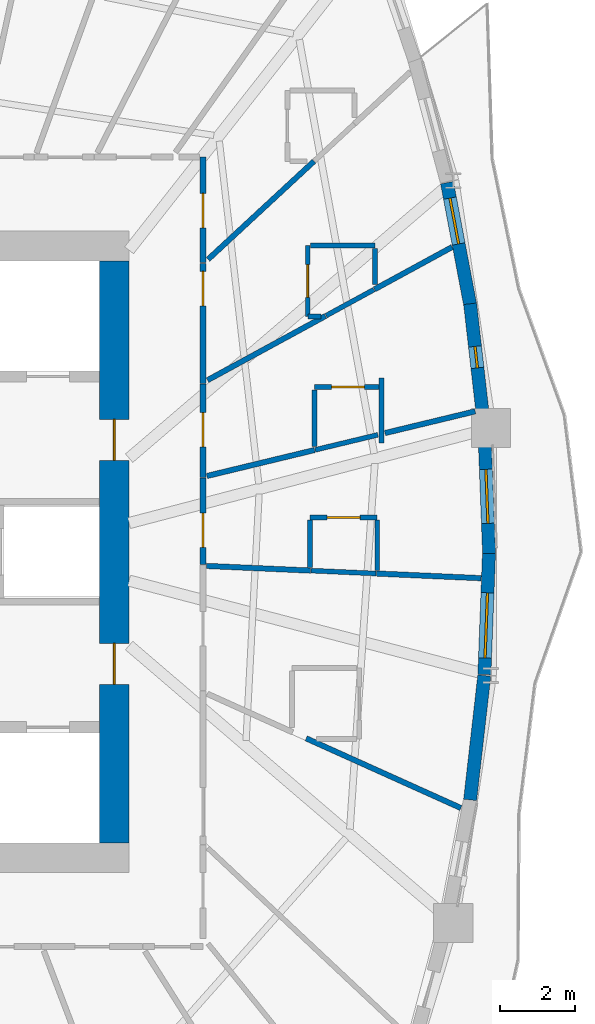
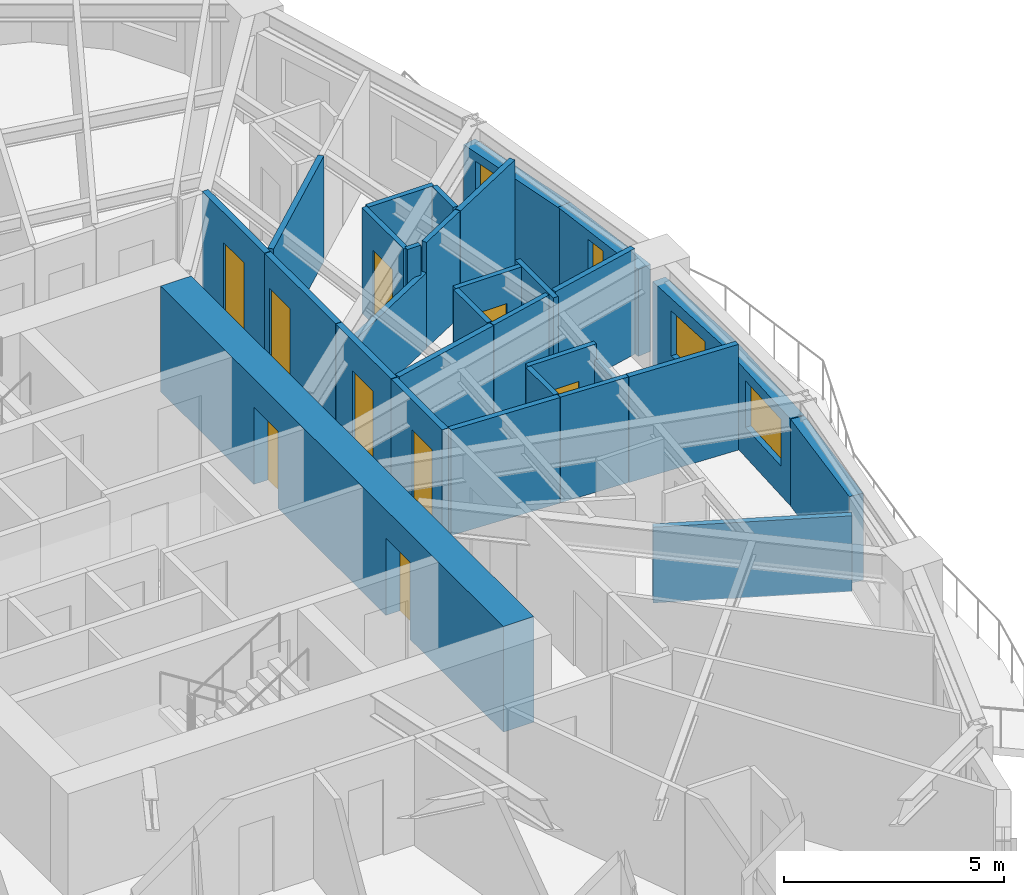
# One storey, part 7 of 14: 31 walls, 9 doors, 4 windows, 13 openings.
"""IFC4 building model written with IfcOpenShell, lengths in metres."""

from ifc_helpers import new_model, si_unit, direction, frame, frame_2d, origin, place, context, subcontext, project, spatial, rectangle, extrude, source, transform, mapped, material, layer, layer_set, type_object, element, fill, save


model = new_model("IFC4")

# Units and contexts
model_context = context("Model", 3, precision=1e-05, world=origin(), true_north=direction((0.0, 1.0)))
body_context = subcontext(model_context, "Body", "Model", "MODEL_VIEW")
ifc_project = project(units=[si_unit("LENGTHUNIT", "METRE"), si_unit("AREAUNIT", "SQUARE_METRE"), si_unit("VOLUMEUNIT", "CUBIC_METRE"), si_unit("PLANEANGLEUNIT", "RADIAN"), si_unit("MASSUNIT", "GRAM", prefix="KILO")], contexts=[model_context])

# Site, building, storey
site_placement = place(None, origin())
site = spatial("IfcSite", under=ifc_project, at=site_placement, CompositionType="ELEMENT")
building_placement = place(site_placement, origin())
building = spatial("IfcBuilding", under=site, at=building_placement, Name="Qafzar Sky-Pleat Residences", CompositionType="ELEMENT")
storey_placement = place(building_placement, frame((0.0, 0.0, 23.800048828125)))
storey = spatial("IfcBuildingStorey", under=building, at=storey_placement, Name="L06", CompositionType="ELEMENT", Elevation=23.800048828125)

# Wall, opening, door
ifc_material_1 = material(Name="Acoustic gypsum plasterboard partition", Category="gypsum")
ifc_layer_1 = layer(ifc_material_1, 0.159912109375)
ifc_layer_set_1 = layer_set([ifc_layer_1], Name="Acoustic gypsum plasterboard partition")
wall_type_1 = type_object("IfcWallType", Name="PART-COR-160", PredefinedType="PARTITIONING", material=ifc_layer_set_1)
wall_1_placement = place(storey_placement, frame((38.679931640625, 33.735107421875, 0.0), z_axis=(0.0, 0.0, 1.0), x_axis=(0.0, -1.0, 0.0)))
wall_1 = element("IfcWall", 1, at=wall_1_placement, inside=storey, type_object=wall_type_1, Name="L06 Partition Wall PART-L06-PW-007", PredefinedType="PARTITIONING", context=body_context, shape_type="SweptSolid", body=[
    extrude(rectangle(XDim=3.217041015625, YDim=0.159912109375, at=frame_2d((1.6083984375, 0.0))), origin(), (0.0, 0.0, 1.0), 2.93505859375),
])
opening_1_placement = place(wall_1_placement, frame((0.219970703125, 0.0, 0.0)))
opening_1 = element("IfcOpeningElement", 2, at=opening_1_placement, cuts=wall_1, Name="Opening ID-04", PredefinedType="OPENING", context=body_context, shape_type="SweptSolid", body=[
    extrude(rectangle(XDim=0.919921875, YDim=2.10009765625, at=frame_2d((0.4599609375, 1.050048828125))), frame((0.0, 0.08984375, 0.0), z_axis=(0.0, -1.0, 0.0), x_axis=(1.0, 0.0, 0.0)), (0.0, 0.0, 1.0), 0.179931640625),
])
ifc_material_2 = material(Name="Timber-faced fire door", Category="wood")
door_type_1 = type_object("IfcDoorType", Name="DR-BED-920", OperationType="NOTDEFINED", PredefinedType="DOOR", material=ifc_material_2)
shared_shape_1 = source(origin(), body_context, "Body", "SweptSolid", [
    extrude(rectangle(XDim=0.919921875, YDim=2.10009765625, at=frame_2d((0.4599609375, 1.050048828125))), frame((0.0, 0.02490234375, 0.0), z_axis=(0.0, -1.0, 0.0), x_axis=(1.0, 0.0, 0.0)), (0.0, 0.0, 1.0), 0.050048828125),
])
door_1_placement = place(opening_1_placement, origin())
door_1 = element("IfcDoor", 3, at=door_1_placement, inside=storey, type_object=door_type_1, Name="L06 Co-Living Bedroom 14 Door", OperationType="SINGLE_SWING_RIGHT", OverallHeight=2.10009765625, OverallWidth=0.919921875, PredefinedType="DOOR", context=body_context, shape_type="MappedRepresentation", body=[
    mapped(shared_shape_1, transform((0.0, 0.0, 0.0), x_axis=(1.0, 0.0, 0.0), y_axis=(0.0, 1.0, 0.0), z_axis=(0.0, 0.0, 1.0), scale=1.0)),
])
fill(opening_1, door_1)

wall_2_placement = place(storey_placement, frame((38.679931640625, 36.580078125, 0.0), z_axis=(0.0, 0.0, 1.0), x_axis=(0.0, -1.0, 0.0)))
wall_2 = element("IfcWall", 4, at=wall_2_placement, inside=storey, type_object=wall_type_1, Name="L06 Partition Wall PART-L06-PW-009", PredefinedType="PARTITIONING", context=body_context, shape_type="SweptSolid", body=[
    extrude(rectangle(XDim=2.830078125, YDim=0.159912109375, at=frame_2d((1.4150390625, 0.0))), origin(), (0.0, 0.0, 1.0), 2.93505859375),
])
opening_2_placement = place(wall_2_placement, frame((0.972900390625, 0.0, 0.0)))
opening_2 = element("IfcOpeningElement", 5, at=opening_2_placement, cuts=wall_2, Name="Opening ID-04", PredefinedType="OPENING", context=body_context, shape_type="SweptSolid", body=[
    extrude(rectangle(XDim=0.919921875, YDim=2.10009765625, at=frame_2d((0.4599609375, 1.050048828125))), frame((0.0, 0.08984375, 0.0), z_axis=(0.0, -1.0, 0.0), x_axis=(1.0, 0.0, 0.0)), (0.0, 0.0, 1.0), 0.179931640625),
])
door_2_placement = place(opening_2_placement, origin())
door_2 = element("IfcDoor", 6, at=door_2_placement, inside=storey, type_object=door_type_1, Name="L06 Co-Living Bedroom 13 Door", OperationType="SINGLE_SWING_RIGHT", OverallHeight=2.10009765625, OverallWidth=0.919921875, PredefinedType="DOOR", context=body_context, shape_type="MappedRepresentation", body=[
    mapped(shared_shape_1, transform((0.0, 0.0, 0.0), x_axis=(1.0, 0.0, 0.0), y_axis=(0.0, 1.0, 0.0), z_axis=(0.0, 0.0, 1.0), scale=1.0)),
])
fill(opening_2, door_2)

wall_3_placement = place(storey_placement, frame((38.679931640625, 30.5029296875, 0.0), z_axis=(0.0, 0.0, 1.0), x_axis=(0.0, -1.0, 0.0)))
wall_3 = element("IfcWall", 7, at=wall_3_placement, inside=storey, type_object=wall_type_1, Name="L06 Partition Wall PART-L06-PW-012", PredefinedType="PARTITIONING", context=body_context, shape_type="SweptSolid", body=[
    extrude(rectangle(XDim=2.510009765625, YDim=0.159912109375, at=frame_2d((1.2548828125, 0.0))), origin(), (0.0, 0.0, 1.0), 2.93505859375),
])
opening_3_placement = place(wall_3_placement, frame((0.771484375, 0.0, 0.0)))
opening_3 = element("IfcOpeningElement", 8, at=opening_3_placement, cuts=wall_3, Name="Opening ID-04", PredefinedType="OPENING", context=body_context, shape_type="SweptSolid", body=[
    extrude(rectangle(XDim=0.919921875, YDim=2.10009765625, at=frame_2d((0.4599609375, 1.050048828125))), frame((0.0, 0.08984375, 0.0), z_axis=(0.0, -1.0, 0.0), x_axis=(1.0, 0.0, 0.0)), (0.0, 0.0, 1.0), 0.179931640625),
])
door_3_placement = place(opening_3_placement, origin())
door_3 = element("IfcDoor", 9, at=door_3_placement, inside=storey, type_object=door_type_1, Name="L06 Co-Living Bedroom 11 Door", OperationType="SINGLE_SWING_LEFT", OverallHeight=2.10009765625, OverallWidth=0.919921875, PredefinedType="DOOR", context=body_context, shape_type="MappedRepresentation", body=[
    mapped(shared_shape_1, transform((0.0, 0.0, 0.0), x_axis=(1.0, 0.0, 0.0), y_axis=(0.0, 1.0, 0.0), z_axis=(0.0, 0.0, 1.0), scale=1.0)),
])
fill(opening_3, door_3)

wall_4_placement = place(storey_placement, frame((38.679931640625, 27.97802734375, 0.0), z_axis=(0.0, 0.0, 1.0), x_axis=(0.0, -1.0, 0.0)))
wall_4 = element("IfcWall", 10, at=wall_4_placement, inside=storey, type_object=wall_type_1, Name="L06 Partition Wall PART-L06-PW-015", PredefinedType="PARTITIONING", context=body_context, shape_type="SweptSolid", body=[
    extrude(rectangle(XDim=2.321044921875, YDim=0.159912109375, at=frame_2d((1.16064453125, 0.0))), origin(), (0.0, 0.0, 1.0), 2.93505859375),
])
opening_4_placement = place(wall_4_placement, frame((0.94091796875, 0.0, 0.0)))
opening_4 = element("IfcOpeningElement", 11, at=opening_4_placement, cuts=wall_4, Name="Opening ID-04", PredefinedType="OPENING", context=body_context, shape_type="SweptSolid", body=[
    extrude(rectangle(XDim=0.919921875, YDim=2.10009765625, at=frame_2d((0.4599609375, 1.050048828125))), frame((0.0, 0.08984375, 0.0), z_axis=(0.0, -1.0, 0.0), x_axis=(1.0, 0.0, 0.0)), (0.0, 0.0, 1.0), 0.179931640625),
])
door_4_placement = place(opening_4_placement, origin())
door_4 = element("IfcDoor", 12, at=door_4_placement, inside=storey, type_object=door_type_1, Name="L06 Co-Living Bedroom 12 Door", OperationType="SINGLE_SWING_RIGHT", OverallHeight=2.10009765625, OverallWidth=0.919921875, PredefinedType="DOOR", context=body_context, shape_type="MappedRepresentation", body=[
    mapped(shared_shape_1, transform((0.0, 0.0, 0.0), x_axis=(1.0, 0.0, 0.0), y_axis=(0.0, 1.0, 0.0), z_axis=(0.0, 0.0, 1.0), scale=1.0)),
])
fill(opening_4, door_4)

# Walls
ifc_layer_2 = layer(ifc_material_1, 0.14501953125)
ifc_layer_set_2 = layer_set([ifc_layer_2], Name="Acoustic gypsum plasterboard partition")
wall_type_2 = type_object("IfcWallType", Name="PART-UNIT-145", PredefinedType="PARTITIONING", material=ifc_layer_set_2)
wall_5_placement = place(storey_placement, frame((41.447998046875, 21.0009765625, 0.0), z_axis=(0.0, 0.0, 1.0), x_axis=(0.911733501253, -0.410782208346, 0.0)))
element("IfcWall", 13, at=wall_5_placement, inside=storey, type_object=wall_type_2, Name="L06 Partition Wall PART-L06-PW-051", PredefinedType="PARTITIONING", context=body_context, shape_type="SweptSolid", body=[
    extrude(rectangle(XDim=4.546142578125, YDim=0.14501953125, at=frame_2d((2.27294921875, 0.0))), origin(), (0.0, 0.0, 1.0), 2.10302734375),
])
wall_6_placement = place(storey_placement, frame((38.815185546875, 33.839111328125, 0.0), z_axis=(0.0, 0.0, 1.0), x_axis=(0.733718730688, 0.67945332749, 0.0)))
element("IfcWall", 14, at=wall_6_placement, inside=storey, type_object=wall_type_2, Name="L06 Partition Wall PART-L06-PW-054", PredefinedType="PARTITIONING", context=body_context, shape_type="SweptSolid", body=[
    extrude(rectangle(XDim=3.869140625, YDim=0.14501953125, at=frame_2d((1.9345703125, 0.0))), origin(), (0.0, 0.0, 1.0), 2.93505859375),
])
wall_7_placement = place(storey_placement, frame((38.8017578125, 30.601318359375, 0.0), z_axis=(0.0, 0.0, 1.0), x_axis=(0.878335610987, 0.478044510973, 0.0)))
element("IfcWall", 15, at=wall_7_placement, inside=storey, type_object=wall_type_2, Name="L06 Partition Wall PART-L06-PW-055", PredefinedType="PARTITIONING", context=body_context, shape_type="SweptSolid", body=[
    extrude(rectangle(XDim=3.6015625, YDim=0.14501953125, at=frame_2d((1.80078125, 0.0))), origin(), (0.0, 0.0, 1.0), 2.10302734375),
])
wall_8_placement = place(storey_placement, frame((38.784912109375, 28.033203125, 0.0), z_axis=(0.0, 0.0, 1.0), x_axis=(0.972108739033, 0.234530593943, 0.0)))
element("IfcWall", 16, at=wall_8_placement, inside=storey, type_object=wall_type_2, Name="L06 Partition Wall PART-L06-PW-059", PredefinedType="PARTITIONING", context=body_context, shape_type="SweptSolid", body=[
    extrude(rectangle(XDim=2.966796875, YDim=0.14501953125, at=frame_2d((1.4833984375, 0.0))), origin(), (0.0, 0.0, 1.0), 2.93505859375),
])
wall_9_placement = place(storey_placement, frame((38.771240234375, 25.622802734375, 0.0), z_axis=(0.0, 0.0, 1.0), x_axis=(0.999004404192, -0.044611662199, 0.0)))
element("IfcWall", 17, at=wall_9_placement, inside=storey, type_object=wall_type_2, Name="L06 Partition Wall PART-L06-PW-061", PredefinedType="PARTITIONING", context=body_context, shape_type="SweptSolid", body=[
    extrude(rectangle(XDim=2.79638671875, YDim=0.14501953125, at=frame_2d((1.398193359375, 0.0))), origin(), (0.0, 0.0, 1.0), 2.93505859375),
])
wall_10_placement = place(storey_placement, frame((43.3349609375, 25.4189453125, 0.0), z_axis=(0.0, 0.0, 1.0), x_axis=(0.999002708223, -0.04464962444, 0.0)))
element("IfcWall", 18, at=wall_10_placement, inside=storey, type_object=wall_type_2, Name="L06 Partition Wall PART-L06-PW-062", PredefinedType="PARTITIONING", context=body_context, shape_type="SweptSolid", body=[
    extrude(rectangle(XDim=2.804931640625, YDim=0.14501953125, at=frame_2d((1.40234375, 0.0))), origin(), (0.0, 0.0, 1.0), 2.93505859375),
])
wall_11_placement = place(storey_placement, frame((43.558837890625, 29.18359375, 0.0), z_axis=(0.0, 0.0, 1.0), x_axis=(0.972124665715, 0.23446456941, 0.0)))
element("IfcWall", 19, at=wall_11_placement, inside=storey, type_object=wall_type_2, Name="L06 Partition Wall PART-L06-PW-064", PredefinedType="PARTITIONING", context=body_context, shape_type="SweptSolid", body=[
    extrude(rectangle(XDim=2.486572265625, YDim=0.14501953125, at=frame_2d((1.2431640625, 0.0))), origin(), (0.0, 0.0, 1.0), 2.93505859375),
])
wall_12_placement = place(storey_placement, frame((43.27490234375, 33.035888671875, 0.0), z_axis=(0.0, 0.0, 1.0), x_axis=(0.878237509553, 0.478224713721, 0.0)))
element("IfcWall", 20, at=wall_12_placement, inside=storey, type_object=wall_type_2, Name="L06 Partition Wall PART-L06-PW-065", PredefinedType="PARTITIONING", context=body_context, shape_type="SweptSolid", body=[
    extrude(rectangle(XDim=2.372314453125, YDim=0.14501953125, at=frame_2d((1.18603515625, 0.0))), origin(), (0.0, 0.0, 1.0), 2.93505859375),
])

# Wall, opening, door
ifc_material_3 = material(Name="Moisture-resistant gypsum partition", Category="gypsum")
ifc_layer_3 = layer(ifc_material_3, 0.1298828125)
ifc_layer_set_3 = layer_set([ifc_layer_3], Name="Moisture-resistant gypsum partition")
wall_type_3 = type_object("IfcWallType", Name="PART-WET-130", PredefinedType="PARTITIONING", material=ifc_layer_set_3)
wall_13_placement = place(storey_placement, frame((41.489990234375, 34.2080078125, 0.0), z_axis=(0.0, 0.0, 1.0), x_axis=(0.0, -1.0, 0.0)))
wall_13 = element("IfcWall", 21, at=wall_13_placement, inside=storey, type_object=wall_type_3, Name="L06 Partition Wall PART-L06-PW-025", PredefinedType="PARTITIONING", context=body_context, shape_type="SweptSolid", body=[
    extrude(rectangle(XDim=1.89990234375, YDim=0.1298828125, at=frame_2d((0.949951171875, 0.0))), origin(), (0.0, 0.0, 1.0), 2.93505859375),
])
opening_5_placement = place(wall_13_placement, frame((0.510009765625, 0.0, 0.0)))
opening_5 = element("IfcOpeningElement", 22, at=opening_5_placement, cuts=wall_13, Name="Opening ID-07", PredefinedType="OPENING", context=body_context, shape_type="SweptSolid", body=[
    extrude(rectangle(XDim=0.8798828125, YDim=2.050048828125, at=frame_2d((0.43994140625, 1.02490234375))), frame((0.0, 0.074951171875, 0.0), z_axis=(0.0, -1.0, 0.0), x_axis=(1.0, 0.0, 0.0)), (0.0, 0.0, 1.0), 0.14990234375),
])
door_type_2 = type_object("IfcDoorType", Name="DR-WET-880", OperationType="NOTDEFINED", PredefinedType="DOOR", material=ifc_material_2)
shared_shape_2 = source(origin(), body_context, "Body", "SweptSolid", [
    extrude(rectangle(XDim=0.8798828125, YDim=2.050048828125, at=frame_2d((0.43994140625, 1.02490234375))), frame((0.0, 0.02490234375, 0.0), z_axis=(0.0, -1.0, 0.0), x_axis=(1.0, 0.0, 0.0)), (0.0, 0.0, 1.0), 0.050048828125),
])
door_5_placement = place(opening_5_placement, origin())
door_5 = element("IfcDoor", 23, at=door_5_placement, inside=storey, type_object=door_type_2, Name="L06 En-suite Bathroom 14 Door", OperationType="SINGLE_SWING_RIGHT", OverallHeight=2.050048828125, OverallWidth=0.8798828125, PredefinedType="DOOR", context=body_context, shape_type="MappedRepresentation", body=[
    mapped(shared_shape_2, transform((0.0, 0.0, 0.0), x_axis=(1.0, 0.0, 0.0), y_axis=(0.0, 1.0, 0.0), z_axis=(0.0, 0.0, 1.0), scale=1.0)),
])
fill(opening_5, door_5)

wall_14_placement = place(storey_placement, frame((43.39599609375, 30.41796875, 0.0), z_axis=(0.0, 0.0, 1.0), x_axis=(-1.0, 0.0, 0.0)))
wall_14 = element("IfcWall", 24, at=wall_14_placement, inside=storey, type_object=wall_type_3, Name="L06 Partition Wall PART-L06-PW-027", PredefinedType="PARTITIONING", context=body_context, shape_type="SweptSolid", body=[
    extrude(rectangle(XDim=1.72705078125, YDim=0.1298828125, at=frame_2d((0.863525390625, 0.0))), origin(), (0.0, 0.0, 1.0), 2.93505859375),
])
opening_6_placement = place(wall_14_placement, frame((0.386962890625, 0.0, 0.0)))
opening_6 = element("IfcOpeningElement", 25, at=opening_6_placement, cuts=wall_14, Name="Opening ID-07", PredefinedType="OPENING", context=body_context, shape_type="SweptSolid", body=[
    extrude(rectangle(XDim=0.8798828125, YDim=2.050048828125, at=frame_2d((0.43994140625, 1.02490234375))), frame((0.0, 0.074951171875, 0.0), z_axis=(0.0, -1.0, 0.0), x_axis=(1.0, 0.0, 0.0)), (0.0, 0.0, 1.0), 0.14990234375),
])
door_6_placement = place(opening_6_placement, origin())
door_6 = element("IfcDoor", 26, at=door_6_placement, inside=storey, type_object=door_type_2, Name="L06 En-suite Bathroom 11 Door", OperationType="SINGLE_SWING_RIGHT", OverallHeight=2.050048828125, OverallWidth=0.8798828125, PredefinedType="DOOR", context=body_context, shape_type="MappedRepresentation", body=[
    mapped(shared_shape_2, transform((0.0, 0.0, 0.0), x_axis=(1.0, 0.0, 0.0), y_axis=(0.0, 1.0, 0.0), z_axis=(0.0, 0.0, 1.0), scale=1.0)),
])
fill(opening_6, door_6)

wall_15_placement = place(storey_placement, frame((43.35009765625, 26.922119140625, 0.0), z_axis=(0.0, 0.0, 1.0), x_axis=(-1.0, 0.0, 0.0)))
wall_15 = element("IfcWall", 27, at=wall_15_placement, inside=storey, type_object=wall_type_3, Name="L06 Partition Wall PART-L06-PW-028", PredefinedType="PARTITIONING", context=body_context, shape_type="SweptSolid", body=[
    extrude(rectangle(XDim=1.800048828125, YDim=0.1298828125, at=frame_2d((0.89990234375, 0.0))), origin(), (0.0, 0.0, 1.0), 2.93505859375),
])
opening_7_placement = place(wall_15_placement, frame((0.4599609375, 0.0, 0.0)))
opening_7 = element("IfcOpeningElement", 28, at=opening_7_placement, cuts=wall_15, Name="Opening ID-07", PredefinedType="OPENING", context=body_context, shape_type="SweptSolid", body=[
    extrude(rectangle(XDim=0.8798828125, YDim=2.050048828125, at=frame_2d((0.43994140625, 1.02490234375))), frame((0.0, 0.074951171875, 0.0), z_axis=(0.0, -1.0, 0.0), x_axis=(1.0, 0.0, 0.0)), (0.0, 0.0, 1.0), 0.14990234375),
])
door_7_placement = place(opening_7_placement, origin())
door_7 = element("IfcDoor", 29, at=door_7_placement, inside=storey, type_object=door_type_2, Name="L06 En-suite Bathroom 12 Door", OperationType="SINGLE_SWING_LEFT", OverallHeight=2.050048828125, OverallWidth=0.8798828125, PredefinedType="DOOR", context=body_context, shape_type="MappedRepresentation", body=[
    mapped(shared_shape_2, transform((0.0, 0.0, 0.0), x_axis=(1.0, 0.0, 0.0), y_axis=(0.0, 1.0, 0.0), z_axis=(0.0, 0.0, 1.0), scale=1.0)),
])
fill(opening_7, door_7)

# Walls
wall_16_placement = place(storey_placement, frame((41.68359375, 28.732421875, 0.0), z_axis=(0.0, 0.0, 1.0), x_axis=(0.972269386076, 0.233863722924, 0.0)))
element("IfcWall", 30, at=wall_16_placement, inside=storey, type_object=wall_type_3, Name="L06 Partition Wall PART-L06-PW-071", PredefinedType="PARTITIONING", context=body_context, shape_type="SweptSolid", body=[
    extrude(rectangle(XDim=1.73095703125, YDim=0.1298828125, at=frame_2d((0.865478515625, 0.0))), origin(), (0.0, 0.0, 1.0), 2.93505859375),
])
wall_17_placement = place(storey_placement, frame((41.56298828125, 34.2080078125, 0.0), z_axis=(0.0, 0.0, 1.0), x_axis=(1.0, 0.0, 0.0)))
element("IfcWall", 31, at=wall_17_placement, inside=storey, type_object=wall_type_3, Name="L06 Partition Wall PART-L06-PW-078", PredefinedType="PARTITIONING", context=body_context, shape_type="SweptSolid", body=[
    extrude(rectangle(XDim=1.72705078125, YDim=0.1298828125, at=frame_2d((0.863525390625, 0.0))), origin(), (0.0, 0.0, 1.0), 2.93505859375),
])
wall_18_placement = place(storey_placement, frame((41.580078125, 25.4970703125, 0.0), z_axis=(0.0, 0.0, 1.0), x_axis=(0.998993531001, -0.04485448715, 0.0)))
element("IfcWall", 32, at=wall_18_placement, inside=storey, type_object=wall_type_3, Name="L06 Partition Wall PART-L06-PW-081", PredefinedType="PARTITIONING", context=body_context, shape_type="SweptSolid", body=[
    extrude(rectangle(XDim=1.74169921875, YDim=0.1298828125, at=frame_2d((0.870849609375, 0.0))), origin(), (0.0, 0.0, 1.0), 2.93505859375),
])
wall_19_placement = place(storey_placement, frame((41.6689453125, 28.827392578125, 0.0), z_axis=(0.0, 0.0, 1.0), x_axis=(0.0, 1.0, 0.0)))
element("IfcWall", 33, at=wall_19_placement, inside=storey, type_object=wall_type_3, Name="L06 Partition Wall PART-L06-PW-083", PredefinedType="PARTITIONING", context=body_context, shape_type="SweptSolid", body=[
    extrude(rectangle(XDim=1.517578125, YDim=0.1298828125, at=frame_2d((0.7587890625, 0.0))), origin(), (0.0, 0.0, 1.0), 2.93505859375),
])
wall_20_placement = place(storey_placement, frame((43.35009765625, 25.50146484375, 0.0), z_axis=(0.0, 0.0, 1.0), x_axis=(0.0, 1.0, 0.0)))
element("IfcWall", 34, at=wall_20_placement, inside=storey, type_object=wall_type_3, Name="L06 Partition Wall PART-L06-PW-086", PredefinedType="PARTITIONING", context=body_context, shape_type="SweptSolid", body=[
    extrude(rectangle(XDim=1.34765625, YDim=0.1298828125, at=frame_2d((0.673828125, 0.0))), origin(), (0.0, 0.0, 1.0), 2.5029296875),
])
wall_21_placement = place(storey_placement, frame((41.978271484375, 32.330078125, 0.0), z_axis=(0.0, 0.0, 1.0), x_axis=(0.878138043068, 0.478407334097, 0.0)))
element("IfcWall", 35, at=wall_21_placement, inside=storey, type_object=wall_type_3, Name="L06 Partition Wall PART-L06-PW-088", PredefinedType="PARTITIONING", context=body_context, shape_type="SweptSolid", body=[
    extrude(rectangle(XDim=1.461669921875, YDim=0.1298828125, at=frame_2d((0.73095703125, 0.0))), origin(), (0.0, 0.0, 1.0), 2.93505859375),
])
wall_22_placement = place(storey_placement, frame((41.550048828125, 25.58251953125, 0.0), z_axis=(0.0, 0.0, 1.0), x_axis=(0.0, 1.0, 0.0)))
element("IfcWall", 36, at=wall_22_placement, inside=storey, type_object=wall_type_3, Name="L06 Partition Wall PART-L06-PW-090", PredefinedType="PARTITIONING", context=body_context, shape_type="SweptSolid", body=[
    extrude(rectangle(XDim=1.2666015625, YDim=0.1298828125, at=frame_2d((0.63330078125, 0.0))), origin(), (0.0, 0.0, 1.0), 2.93505859375),
])
wall_23_placement = place(storey_placement, frame((43.468994140625, 28.922119140625, 0.0), z_axis=(0.0, 0.0, 1.0), x_axis=(0.0, 1.0, 0.0)))
element("IfcWall", 37, at=wall_23_placement, inside=storey, type_object=wall_type_3, Name="L06 Partition Wall PART-L06-PW-093", PredefinedType="PARTITIONING", context=body_context, shape_type="SweptSolid", body=[
    extrude(rectangle(XDim=1.73583984375, YDim=0.1298828125, at=frame_2d((0.867919921875, 0.0))), origin(), (0.0, 0.0, 1.0), 2.93505859375),
])
wall_24_placement = place(storey_placement, frame((43.2900390625, 33.1708984375, 0.0), z_axis=(0.0, 0.0, 1.0), x_axis=(0.0, 1.0, 0.0)))
element("IfcWall", 38, at=wall_24_placement, inside=storey, type_object=wall_type_3, Name="L06 Partition Wall PART-L06-PW-095", PredefinedType="PARTITIONING", context=body_context, shape_type="SweptSolid", body=[
    extrude(rectangle(XDim=0.964111328125, YDim=0.1298828125, at=frame_2d((0.48193359375, 0.0))), origin(), (0.0, 0.0, 1.0), 2.93505859375),
])
wall_25_placement = place(storey_placement, frame((41.489990234375, 32.30810546875, 0.0), z_axis=(0.0, 0.0, 1.0), x_axis=(1.0, 0.0, 0.0)))
element("IfcWall", 39, at=wall_25_placement, inside=storey, type_object=wall_type_3, Name="L06 Partition Wall PART-L06-PW-101", PredefinedType="PARTITIONING", context=body_context, shape_type="SweptSolid", body=[
    extrude(rectangle(XDim=0.35693359375, YDim=0.1298828125, at=frame_2d((0.178466796875, 0.0))), origin(), (0.0, 0.0, 1.0), 2.93505859375),
])
ifc_material_4 = material(Name="Precast concrete C40/50 with honed Riyadh limestone", Category="concrete")
ifc_layer_4 = layer(ifc_material_4, 0.35009765625)
ifc_layer_set_4 = layer_set([ifc_layer_4], Name="Precast concrete C40/50 with honed Riyadh limestone")
wall_type_4 = type_object("IfcWallType", Name="WALL-EXT-350", PredefinedType="SOLIDWALL", material=ifc_layer_set_4)
wall_26_placement = place(storey_placement, frame((45.840576171875, 19.35009765625, 0.0), z_axis=(0.0, 0.0, 1.0), x_axis=(0.113290074291, 0.993561955324, 0.0)))
element("IfcWall", 40, at=wall_26_placement, inside=storey, type_object=wall_type_4, Name="L06 Limestone Facade Wall 26", PredefinedType="SOLIDWALL", context=body_context, shape_type="SweptSolid", body=[
    extrude(rectangle(XDim=3.355224609375, YDim=0.35009765625, at=frame_2d((1.677734375, 0.0))), origin(), (0.0, 0.0, 1.0), 2.4150390625),
])

# Wall, opening, window
wall_27_placement = place(storey_placement, frame((46.22265625, 22.710693359375, 0.0), z_axis=(0.0, 0.0, 1.0), x_axis=(0.037977854684, 0.999278581054, 0.0)))
wall_27 = element("IfcWall", 41, at=wall_27_placement, inside=storey, type_object=wall_type_4, Name="L06 Limestone Facade Wall 27", PredefinedType="SOLIDWALL", context=body_context, shape_type="SweptSolid", body=[
    extrude(rectangle(XDim=3.33642578125, YDim=0.35009765625, at=frame_2d((1.668212890625, 0.0))), origin(), (0.0, 0.0, 1.0), 2.4150390625),
])
opening_8_placement = place(wall_27_placement, frame((0.443603515625, 0.0, 0.820068359375)))
opening_8 = element("IfcOpeningElement", 42, at=opening_8_placement, cuts=wall_27, Name="Opening WN-14", PredefinedType="OPENING", context=body_context, shape_type="SweptSolid", body=[
    extrude(rectangle(XDim=1.75, YDim=1.300048828125, at=frame_2d((0.875, 0.64990234375))), frame((0.0, 0.18505859375, 0.0), z_axis=(0.0, -1.0, 0.0), x_axis=(1.0, 0.0, 0.0)), (0.0, 0.0, 1.0), 0.3701171875),
])
ifc_material_5 = material(Name="Solar-control low-E glass in bronze aluminium frame", Category="glass")
window_type_1 = type_object("IfcWindowType", Name="WIN-14", PartitioningType="DOUBLE_PANEL_VERTICAL", PredefinedType="WINDOW", material=ifc_material_5)
shared_shape_3 = source(origin(), body_context, "Body", "SweptSolid", [
    extrude(rectangle(XDim=1.75, YDim=1.300048828125, at=frame_2d((0.875, 0.64990234375))), frame((0.0, 0.030029296875, 0.0), z_axis=(0.0, -1.0, 0.0), x_axis=(1.0, 0.0, 0.0)), (0.0, 0.0, 1.0), 0.06005859375),
])
window_1_placement = place(opening_8_placement, origin())
window_1 = element("IfcWindow", 43, at=window_1_placement, inside=storey, type_object=window_type_1, Name="L06 Punched Facade Window 27", OverallHeight=1.300048828125, OverallWidth=1.75, PartitioningType="SINGLE_PANEL", PredefinedType="WINDOW", context=body_context, shape_type="MappedRepresentation", body=[
    mapped(shared_shape_3, transform((0.0, 0.0, 0.0), x_axis=(1.0, 0.0, 0.0), y_axis=(0.0, 1.0, 0.0), z_axis=(0.0, 0.0, 1.0), scale=1.0)),
])
fill(opening_8, window_1)

wall_28_placement = place(storey_placement, frame((46.349365234375, 25.955322265625, 0.0), z_axis=(0.0, 0.0, 1.0), x_axis=(-0.038022046735, 0.999276900545, 0.0)))
wall_28 = element("IfcWall", 44, at=wall_28_placement, inside=storey, type_object=wall_type_4, Name="L06 Limestone Facade Wall 28", PredefinedType="SOLIDWALL", context=body_context, shape_type="SweptSolid", body=[
    extrude(rectangle(XDim=3.056396484375, YDim=0.35009765625, at=frame_2d((1.5283203125, 0.0))), origin(), (0.0, 0.0, 1.0), 2.4150390625),
])
opening_9_placement = place(wall_28_placement, frame((0.80810546875, 0.0, 0.820068359375)))
opening_9 = element("IfcOpeningElement", 45, at=opening_9_placement, cuts=wall_28, Name="Opening WN-15", PredefinedType="OPENING", context=body_context, shape_type="SweptSolid", body=[
    extrude(rectangle(XDim=1.449951171875, YDim=1.25, at=frame_2d((0.72509765625, 0.625))), frame((0.0, 0.18505859375, 0.0), z_axis=(0.0, -1.0, 0.0), x_axis=(1.0, 0.0, 0.0)), (0.0, 0.0, 1.0), 0.3701171875),
])
window_type_2 = type_object("IfcWindowType", Name="WIN-15", PartitioningType="SINGLE_PANEL", PredefinedType="WINDOW", material=ifc_material_5)
shared_shape_4 = source(origin(), body_context, "Body", "SweptSolid", [
    extrude(rectangle(XDim=1.449951171875, YDim=1.25, at=frame_2d((0.72509765625, 0.625))), frame((0.0, 0.030029296875, 0.0), z_axis=(0.0, -1.0, 0.0), x_axis=(1.0, 0.0, 0.0)), (0.0, 0.0, 1.0), 0.06005859375),
])
window_2_placement = place(opening_9_placement, origin())
window_2 = element("IfcWindow", 46, at=window_2_placement, inside=storey, type_object=window_type_2, Name="L06 Punched Facade Window 28", OverallHeight=1.25, OverallWidth=1.449951171875, PartitioningType="SINGLE_PANEL", PredefinedType="WINDOW", context=body_context, shape_type="MappedRepresentation", body=[
    mapped(shared_shape_4, transform((0.0, 0.0, 0.0), x_axis=(1.0, 0.0, 0.0), y_axis=(0.0, 1.0, 0.0), z_axis=(0.0, 0.0, 1.0), scale=1.0)),
])
fill(opening_9, window_2)

wall_29_placement = place(storey_placement, frame((46.188720703125, 29.59423828125, 0.0), z_axis=(0.0, 0.0, 1.0), x_axis=(-0.113201797404, 0.99357201705, 0.0)))
wall_29 = element("IfcWall", 47, at=wall_29_placement, inside=storey, type_object=wall_type_4, Name="L06 Limestone Facade Wall 29", PredefinedType="SOLIDWALL", context=body_context, shape_type="SweptSolid", body=[
    extrude(rectangle(XDim=3.075439453125, YDim=0.35009765625, at=frame_2d((1.53759765625, 0.0))), origin(), (0.0, 0.0, 1.0), 2.4150390625),
])
opening_10_placement = place(wall_29_placement, frame((1.344970703125, 0.0, 0.820068359375)))
opening_10 = element("IfcOpeningElement", 48, at=opening_10_placement, cuts=wall_29, Name="Opening WN-17", PredefinedType="OPENING", context=body_context, shape_type="SweptSolid", body=[
    extrude(rectangle(XDim=0.580078125, YDim=1.35009765625, at=frame_2d((0.2900390625, 0.675048828125))), frame((0.0, 0.18505859375, 0.0), z_axis=(0.0, -1.0, 0.0), x_axis=(1.0, 0.0, 0.0)), (0.0, 0.0, 1.0), 0.3701171875),
])
window_type_3 = type_object("IfcWindowType", Name="WIN-17", PartitioningType="SINGLE_PANEL", PredefinedType="WINDOW", material=ifc_material_5)
shared_shape_5 = source(origin(), body_context, "Body", "SweptSolid", [
    extrude(rectangle(XDim=0.580078125, YDim=1.35009765625, at=frame_2d((0.2900390625, 0.675048828125))), frame((0.0, 0.030029296875, 0.0), z_axis=(0.0, -1.0, 0.0), x_axis=(1.0, 0.0, 0.0)), (0.0, 0.0, 1.0), 0.06005859375),
])
window_3_placement = place(opening_10_placement, origin())
window_3 = element("IfcWindow", 49, at=window_3_placement, inside=storey, type_object=window_type_3, Name="L06 Bedroom Casement Window BD-1", OverallHeight=1.35009765625, OverallWidth=0.580078125, PartitioningType="SINGLE_PANEL", PredefinedType="WINDOW", context=body_context, shape_type="MappedRepresentation", body=[
    mapped(shared_shape_5, transform((0.0, 0.0, 0.0), x_axis=(1.0, 0.0, 0.0), y_axis=(0.0, 1.0, 0.0), z_axis=(0.0, 0.0, 1.0), scale=1.0)),
])
fill(opening_10, window_3)

wall_30_placement = place(storey_placement, frame((45.85400390625, 32.56201171875, 0.0), z_axis=(0.0, 0.0, 1.0), x_axis=(-0.186698837055, 0.982417194598, 0.0)))
wall_30 = element("IfcWall", 50, at=wall_30_placement, inside=storey, type_object=wall_type_4, Name="L06 Limestone Facade Wall 30", PredefinedType="SOLIDWALL", context=body_context, shape_type="SweptSolid", body=[
    extrude(rectangle(XDim=3.393310546875, YDim=0.35009765625, at=frame_2d((1.69677734375, 0.0))), origin(), (0.0, 0.0, 1.0), 2.4150390625),
])
opening_11_placement = place(wall_30_placement, frame((1.721435546875, 0.0, 0.820068359375)))
opening_11 = element("IfcOpeningElement", 51, at=opening_11_placement, cuts=wall_30, Name="Opening WN-11", PredefinedType="OPENING", context=body_context, shape_type="SweptSolid", body=[
    extrude(rectangle(XDim=1.25, YDim=1.35009765625, at=frame_2d((0.625, 0.675048828125))), frame((0.0, 0.18505859375, 0.0), z_axis=(0.0, -1.0, 0.0), x_axis=(1.0, 0.0, 0.0)), (0.0, 0.0, 1.0), 0.3701171875),
])
window_type_4 = type_object("IfcWindowType", Name="WIN-11", PartitioningType="SINGLE_PANEL", PredefinedType="WINDOW", material=ifc_material_5)
shared_shape_6 = source(origin(), body_context, "Body", "SweptSolid", [
    extrude(rectangle(XDim=1.25, YDim=1.35009765625, at=frame_2d((0.625, 0.675048828125))), frame((0.0, 0.030029296875, 0.0), z_axis=(0.0, -1.0, 0.0), x_axis=(1.0, 0.0, 0.0)), (0.0, 0.0, 1.0), 0.06005859375),
])
window_4_placement = place(opening_11_placement, origin())
window_4 = element("IfcWindow", 52, at=window_4_placement, inside=storey, type_object=window_type_4, Name="L06 Punched Facade Window 30-2", OverallHeight=1.35009765625, OverallWidth=1.25, PartitioningType="SINGLE_PANEL", PredefinedType="WINDOW", context=body_context, shape_type="MappedRepresentation", body=[
    mapped(shared_shape_6, transform((0.0, 0.0, 0.0), x_axis=(1.0, 0.0, 0.0), y_axis=(0.0, 1.0, 0.0), z_axis=(0.0, 0.0, 1.0), scale=1.0)),
])
fill(opening_11, window_4)

# Wall, openings, doors
ifc_material_6 = material(Name="Concrete C60/75", Category="concrete")
ifc_layer_5 = layer(ifc_material_6, 0.800048828125)
ifc_layer_set_5 = layer_set([ifc_layer_5], Name="Concrete C60/75")
wall_type_5 = type_object("IfcWallType", Name="WALL-SHEAR-800", PredefinedType="SHEAR", material=ifc_layer_set_5)
wall_31_placement = place(storey_placement, frame((36.300048828125, 18.199951171875, 0.0), z_axis=(0.0, 0.0, 1.0), x_axis=(0.0, 1.0, 0.0)))
wall_31 = element("IfcWall", 53, at=wall_31_placement, inside=storey, type_object=wall_type_5, Name="L06 CORE wall E", PredefinedType="SHEAR", context=body_context, shape_type="SweptSolid", body=[
    extrude(rectangle(XDim=15.60009765625, YDim=0.800048828125, at=frame_2d((7.800048828125, 0.0))), origin(), (0.0, 0.0, 1.0), 2.93505859375),
])
opening_12_placement = place(wall_31_placement, frame((4.25, 0.0, 0.0)))
opening_12 = element("IfcOpeningElement", 54, at=opening_12_placement, cuts=wall_31, Name="Opening ID-02", PredefinedType="OPENING", context=body_context, shape_type="SweptSolid", body=[
    extrude(rectangle(XDim=1.10009765625, YDim=2.14990234375, at=frame_2d((0.550048828125, 1.074951171875))), frame((0.0, 0.41015625, 0.0), z_axis=(0.0, -1.0, 0.0), x_axis=(1.0, 0.0, 0.0)), (0.0, 0.0, 1.0), 0.820068359375),
])
opening_13_placement = place(wall_31_placement, frame((10.25, 0.0, 0.0)))
opening_13 = element("IfcOpeningElement", 55, at=opening_13_placement, cuts=wall_31, Name="Opening ID-02", PredefinedType="OPENING", context=body_context, shape_type="SweptSolid", body=[
    extrude(rectangle(XDim=1.10009765625, YDim=2.14990234375, at=frame_2d((0.550048828125, 1.074951171875))), frame((0.0, 0.41015625, 0.0), z_axis=(0.0, -1.0, 0.0), x_axis=(1.0, 0.0, 0.0)), (0.0, 0.0, 1.0), 0.820068359375),
])
door_type_3 = type_object("IfcDoorType", Name="DR-FFL-1100", OperationType="NOTDEFINED", PredefinedType="DOOR", material=ifc_material_2)
shared_shape_7 = source(origin(), body_context, "Body", "SweptSolid", [
    extrude(rectangle(XDim=1.10009765625, YDim=2.14990234375, at=frame_2d((0.550048828125, 1.074951171875))), frame((0.0, 0.02490234375, 0.0), z_axis=(0.0, -1.0, 0.0), x_axis=(1.0, 0.0, 0.0)), (0.0, 0.0, 1.0), 0.050048828125),
])
door_8_placement = place(opening_12_placement, origin())
door_8 = element("IfcDoor", 56, at=door_8_placement, inside=storey, type_object=door_type_3, Name="L06 Firefighting Lobby South Corridor Door", OperationType="SINGLE_SWING_RIGHT", OverallHeight=2.14990234375, OverallWidth=1.10009765625, PredefinedType="DOOR", context=body_context, shape_type="MappedRepresentation", body=[
    mapped(shared_shape_7, transform((0.0, 0.0, 0.0), x_axis=(1.0, 0.0, 0.0), y_axis=(0.0, 1.0, 0.0), z_axis=(0.0, 0.0, 1.0), scale=1.0)),
])
fill(opening_12, door_8)
door_9_placement = place(opening_13_placement, origin())
door_9 = element("IfcDoor", 57, at=door_9_placement, inside=storey, type_object=door_type_3, Name="L06 Firefighting Lobby North Corridor Door", OperationType="SINGLE_SWING_LEFT", OverallHeight=2.14990234375, OverallWidth=1.10009765625, PredefinedType="DOOR", context=body_context, shape_type="MappedRepresentation", body=[
    mapped(shared_shape_7, transform((0.0, 0.0, 0.0), x_axis=(1.0, 0.0, 0.0), y_axis=(0.0, 1.0, 0.0), z_axis=(0.0, 0.0, 1.0), scale=1.0)),
])
fill(opening_13, door_9)

save(model, "model.ifc")
